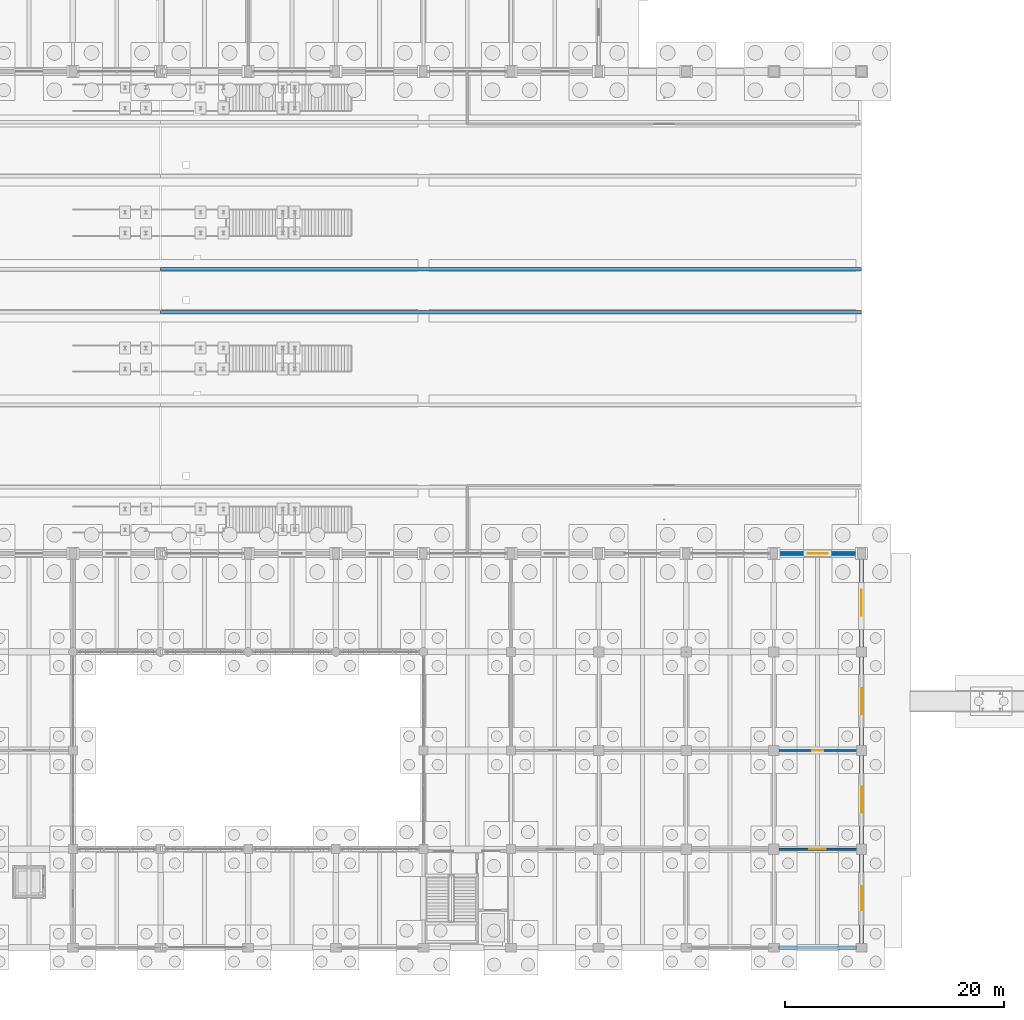
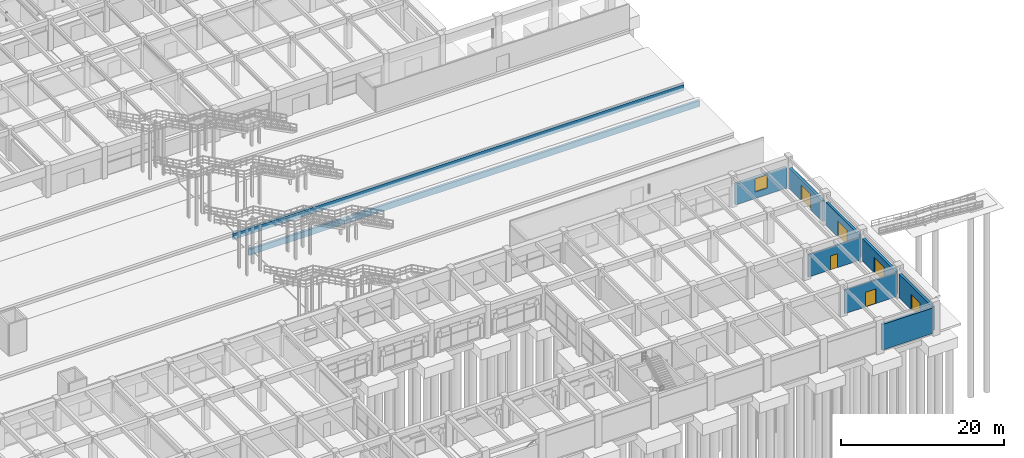
# One storey, part 110 of 147: 10 walls, 6 doors, 1 window, 7 openings.
"""IFC4 building model written with IfcOpenShell, lengths in metres."""

from ifc_helpers import new_model, si_unit, direction, frame, frame_2d, origin, place, context, subcontext, project, spatial, rectangle, extrude, material, layer, layer_set, type_object, element, fill, save


model = new_model("IFC4")

# Units and contexts
model_context = context("Model", 3, precision=1e-05, world=origin(), true_north=direction((0.0, 1.0)))
body_context = subcontext(model_context, "Body", "Model", "MODEL_VIEW")
ifc_project = project(units=[si_unit("LENGTHUNIT", "METRE"), si_unit("AREAUNIT", "SQUARE_METRE"), si_unit("VOLUMEUNIT", "CUBIC_METRE"), si_unit("PLANEANGLEUNIT", "RADIAN"), si_unit("MASSUNIT", "GRAM", prefix="KILO")], contexts=[model_context])

# Site, building, storey
site_placement = place(None, origin())
site = spatial("IfcSite", under=ifc_project, at=site_placement, CompositionType="ELEMENT")
building_placement = place(site_placement, origin())
building = spatial("IfcBuilding", under=site, at=building_placement, Name="Varnabhumi Central Station", CompositionType="ELEMENT")
storey_placement = place(building_placement, origin())
storey = spatial("IfcBuildingStorey", under=building, at=storey_placement, Name="L00", CompositionType="ELEMENT", Elevation=0.0)

# Wall, opening, door
ifc_material_1 = material(Name="Autoclaved aerated blockwork masonry", Category="masonry")
ifc_layer_1 = layer(ifc_material_1, 0.219970703125, Name="Autoclaved aerated blockwork masonry", Category="masonry")
ifc_layer_set_1 = layer_set([ifc_layer_1], Name="Autoclaved aerated blockwork masonry")
wall_type_1 = type_object("IfcWallType", Name="WAL-COMP-AAC-220", PredefinedType="SOLIDWALL", material=ifc_layer_set_1)
wall_1_placement = place(storey_placement, frame((176.300048828125, 9.0, 0.0), z_axis=(0.0, 0.0, 1.0), x_axis=(1.0, 0.0, 0.0)))
wall_1 = element("IfcWall", 1, at=wall_1_placement, inside=storey, type_object=wall_type_1, Name="Acoustic Standby Generator Room Corridor Partition 4", PredefinedType="SOLIDWALL", context=body_context, shape_type="SweptSolid", body=[
    extrude(rectangle(XDim=7.39990234375, YDim=0.219970703125, at=frame_2d((3.699951171875, 0.0))), origin(), (0.0, 0.0, 1.0), 3.56005859375),
])
opening_1_placement = place(wall_1_placement, frame((2.949951171875, 0.0, 0.0)))
opening_1 = element("IfcOpeningElement", 2, at=opening_1_placement, cuts=wall_1, Name="Opening FD-PLT", PredefinedType="OPENING", context=body_context, shape_type="SweptSolid", body=[
    extrude(rectangle(XDim=1.5, YDim=2.199951171875, at=frame_2d((0.75, 1.10009765625))), frame((0.0, 0.119873046875, 0.0), z_axis=(0.0, -1.0, 0.0), x_axis=(1.0, 0.0, 0.0)), (0.0, 0.0, 1.0), 0.239990234375),
])
ifc_material_2 = material(Name="Stainless steel Grade 316", Category="steel")
door_type_1 = type_object("IfcDoorType", Name="DR-PLANT-1500", OperationType="NOTDEFINED", PredefinedType="DOOR", material=ifc_material_2)
door_1_placement = place(opening_1_placement, origin())
door_1 = element("IfcDoor", 3, at=door_1_placement, inside=storey, type_object=door_type_1, Name="Acoustic Standby Generator Room Door 4", OperationType="SINGLE_SWING_LEFT", OverallHeight=2.199951171875, OverallWidth=1.5, PredefinedType="DOOR", context=body_context, shape_type="SweptSolid", body=[
    extrude(rectangle(XDim=1.5, YDim=2.199951171875, at=frame_2d((0.75, 1.10009765625))), frame((0.0, 0.02490234375, 0.0), z_axis=(0.0, -1.0, 0.0), x_axis=(1.0, 0.0, 0.0)), (0.0, 0.0, 1.0), 0.050048828125),
])
fill(opening_1, door_1)

# Wall, opening, window
ifc_material_3 = material(Name="Chunar sandstone masonry", Category="masonry")
ifc_layer_2 = layer(ifc_material_3, 0.360107421875, Name="Chunar sandstone masonry", Category="masonry")
ifc_layer_set_2 = layer_set([ifc_layer_2], Name="Chunar sandstone masonry")
wall_type_2 = type_object("IfcWallType", Name="WAL-EXT-SANDSTONE-360", PredefinedType="SOLIDWALL", material=ifc_layer_set_2)
wall_2_placement = place(storey_placement, frame((176.344970703125, 36.0, 0.0), z_axis=(0.0, 0.0, 1.0), x_axis=(1.0, 0.0, 0.0)))
wall_2 = element("IfcWall", 4, at=wall_2_placement, inside=storey, type_object=wall_type_2, Name="South Spine Wall L00-23", PredefinedType="SOLIDWALL", context=body_context, shape_type="SweptSolid", body=[
    extrude(rectangle(XDim=7.31005859375, YDim=0.360107421875, at=frame_2d((3.655029296875, 0.0))), origin(), (0.0, 0.0, 1.0), 3.110107421875),
])
opening_2_placement = place(wall_2_placement, frame((2.7548828125, 0.0, 0.949951171875)))
opening_2 = element("IfcOpeningElement", 5, at=opening_2_placement, cuts=wall_2, Name="Opening W-02", PredefinedType="OPENING", context=body_context, shape_type="SweptSolid", body=[
    extrude(rectangle(XDim=1.800048828125, YDim=2.02001953125, at=frame_2d((0.89990234375, 1.010009765625))), frame((0.0, 0.18994140625, 0.0), z_axis=(0.0, -1.0, 0.0), x_axis=(1.0, 0.0, 0.0)), (0.0, 0.0, 1.0), 0.380126953125),
])
ifc_material_4 = material(Name="Laminated low-E double glazing", Category="glass")
window_type = type_object("IfcWindowType", Name="WIN-ARCADE-1800x2600", PartitioningType="DOUBLE_PANEL_VERTICAL", PredefinedType="WINDOW", material=ifc_material_4)
window_placement = place(opening_2_placement, origin())
window = element("IfcWindow", 6, at=window_placement, inside=storey, type_object=window_type, Name="South Spine Overlook Window L00-23", OverallHeight=2.02001953125, OverallWidth=1.800048828125, PartitioningType="SINGLE_PANEL", PredefinedType="WINDOW", context=body_context, shape_type="SweptSolid", body=[
    extrude(rectangle(XDim=1.800048828125, YDim=2.02001953125, at=frame_2d((0.89990234375, 1.010009765625))), frame((0.0, 0.030029296875, 0.0), z_axis=(0.0, -1.0, 0.0), x_axis=(1.0, 0.0, 0.0)), (0.0, 0.0, 1.0), 0.06005859375),
])
fill(opening_2, window)

# Wall, opening, door
wall_3_placement = place(storey_placement, frame((184.0, 0.3701171875, 0.0), z_axis=(0.0, 0.0, 1.0), x_axis=(0.0, 1.0, 0.0)))
wall_3 = element("IfcWall", 7, at=wall_3_placement, inside=storey, type_object=wall_type_2, Name="South Wing W End Wall L00-1", PredefinedType="SOLIDWALL", context=body_context, shape_type="SweptSolid", body=[
    extrude(rectangle(XDim=8.22998046875, YDim=0.360107421875, at=frame_2d((4.114990234375, 0.0))), origin(), (0.0, 0.0, 1.0), 3.56005859375),
])
opening_3_placement = place(wall_3_placement, frame((3.030029296875, 0.0, 0.0)))
opening_3 = element("IfcOpeningElement", 8, at=opening_3_placement, cuts=wall_3, Name="Opening ED-5", PredefinedType="OPENING", context=body_context, shape_type="SweptSolid", body=[
    extrude(rectangle(XDim=2.199951171875, YDim=2.300048828125, at=frame_2d((1.10009765625, 1.14990234375))), frame((0.0, 0.18994140625, 0.0), z_axis=(0.0, -1.0, 0.0), x_axis=(1.0, 0.0, 0.0)), (0.0, 0.0, 1.0), 0.380126953125),
])
door_type_2 = type_object("IfcDoorType", Name="DR-EXT-PLANT-2200", OperationType="NOTDEFINED", PredefinedType="DOOR", material=ifc_material_2)
door_2_placement = place(opening_3_placement, origin())
door_2 = element("IfcDoor", 9, at=door_2_placement, inside=storey, type_object=door_type_2, Name="South W Service Exit Door", OperationType="DOUBLE_DOOR_SINGLE_SWING", OverallHeight=2.300048828125, OverallWidth=2.199951171875, PredefinedType="DOOR", context=body_context, shape_type="SweptSolid", body=[
    extrude(rectangle(XDim=2.199951171875, YDim=2.300048828125, at=frame_2d((1.10009765625, 1.14990234375))), frame((0.0, 0.02490234375, 0.0), z_axis=(0.0, -1.0, 0.0), x_axis=(1.0, 0.0, 0.0)), (0.0, 0.0, 1.0), 0.050048828125),
])
fill(opening_3, door_2)

wall_4_placement = place(storey_placement, frame((184.0, 9.39990234375, 0.0), z_axis=(0.0, 0.0, 1.0), x_axis=(0.0, 1.0, 0.0)))
wall_4 = element("IfcWall", 10, at=wall_4_placement, inside=storey, type_object=wall_type_2, Name="South Wing W End Wall L00-2", PredefinedType="SOLIDWALL", context=body_context, shape_type="SweptSolid", body=[
    extrude(rectangle(XDim=8.2001953125, YDim=0.360107421875, at=frame_2d((4.10009765625, 0.0))), origin(), (0.0, 0.0, 1.0), 3.409912109375),
])
opening_4_placement = place(wall_4_placement, frame((2.89990234375, 0.0, 0.0)))
opening_4 = element("IfcOpeningElement", 11, at=opening_4_placement, cuts=wall_4, Name="Opening ED-1", PredefinedType="OPENING", context=body_context, shape_type="SweptSolid", body=[
    extrude(rectangle(XDim=2.39990234375, YDim=2.35009765625, at=frame_2d((1.199951171875, 1.175048828125))), frame((0.0, 0.18994140625, 0.0), z_axis=(0.0, -1.0, 0.0), x_axis=(1.0, 0.0, 0.0)), (0.0, 0.0, 1.0), 0.380126953125),
])
ifc_material_5 = material(Name="Anodised aluminium 6063-T6", Category="aluminium")
door_type_3 = type_object("IfcDoorType", Name="DR-EXT-PORTAL-2400", OperationType="NOTDEFINED", PredefinedType="DOOR", material=ifc_material_5)
door_3_placement = place(opening_4_placement, origin())
door_3 = element("IfcDoor", 12, at=door_3_placement, inside=storey, type_object=door_type_3, Name="South W Exit Door 2", OperationType="DOUBLE_DOOR_SINGLE_SWING", OverallHeight=2.35009765625, OverallWidth=2.39990234375, PredefinedType="DOOR", context=body_context, shape_type="SweptSolid", body=[
    extrude(rectangle(XDim=2.39990234375, YDim=2.35009765625, at=frame_2d((1.199951171875, 1.175048828125))), frame((0.0, 0.02490234375, 0.0), z_axis=(0.0, -1.0, 0.0), x_axis=(1.0, 0.0, 0.0)), (0.0, 0.0, 1.0), 0.050048828125),
])
fill(opening_4, door_3)

wall_5_placement = place(storey_placement, frame((184.0, 18.39990234375, 0.0), z_axis=(0.0, 0.0, 1.0), x_axis=(0.0, 1.0, 0.0)))
wall_5 = element("IfcWall", 13, at=wall_5_placement, inside=storey, type_object=wall_type_2, Name="South Wing W End Wall L00-3", PredefinedType="SOLIDWALL", context=body_context, shape_type="SweptSolid", body=[
    extrude(rectangle(XDim=8.2001953125, YDim=0.360107421875, at=frame_2d((4.10009765625, 0.0))), origin(), (0.0, 0.0, 1.0), 3.409912109375),
])
opening_5_placement = place(wall_5_placement, frame((2.89990234375, 0.0, 0.0)))
opening_5 = element("IfcOpeningElement", 14, at=opening_5_placement, cuts=wall_5, Name="Opening ED-1", PredefinedType="OPENING", context=body_context, shape_type="SweptSolid", body=[
    extrude(rectangle(XDim=2.39990234375, YDim=2.35009765625, at=frame_2d((1.199951171875, 1.175048828125))), frame((0.0, 0.18994140625, 0.0), z_axis=(0.0, -1.0, 0.0), x_axis=(1.0, 0.0, 0.0)), (0.0, 0.0, 1.0), 0.380126953125),
])
door_4_placement = place(opening_5_placement, origin())
door_4 = element("IfcDoor", 15, at=door_4_placement, inside=storey, type_object=door_type_3, Name="South W Exit Door 3", OperationType="DOUBLE_DOOR_SINGLE_SWING", OverallHeight=2.35009765625, OverallWidth=2.39990234375, PredefinedType="DOOR", context=body_context, shape_type="SweptSolid", body=[
    extrude(rectangle(XDim=2.39990234375, YDim=2.35009765625, at=frame_2d((1.199951171875, 1.175048828125))), frame((0.0, 0.02490234375, 0.0), z_axis=(0.0, -1.0, 0.0), x_axis=(1.0, 0.0, 0.0)), (0.0, 0.0, 1.0), 0.050048828125),
])
fill(opening_5, door_4)

wall_6_placement = place(storey_placement, frame((184.0, 27.39990234375, 0.0), z_axis=(0.0, 0.0, 1.0), x_axis=(0.0, 1.0, 0.0)))
wall_6 = element("IfcWall", 16, at=wall_6_placement, inside=storey, type_object=wall_type_2, Name="South Wing W End Wall L00-4", PredefinedType="SOLIDWALL", context=body_context, shape_type="SweptSolid", body=[
    extrude(rectangle(XDim=8.2001953125, YDim=0.360107421875, at=frame_2d((4.10009765625, 0.0))), origin(), (0.0, 0.0, 1.0), 3.110107421875),
])
opening_6_placement = place(wall_6_placement, frame((2.89990234375, 0.0, 0.0)))
opening_6 = element("IfcOpeningElement", 17, at=opening_6_placement, cuts=wall_6, Name="Opening ED-1", PredefinedType="OPENING", context=body_context, shape_type="SweptSolid", body=[
    extrude(rectangle(XDim=2.39990234375, YDim=2.35009765625, at=frame_2d((1.199951171875, 1.175048828125))), frame((0.0, 0.18994140625, 0.0), z_axis=(0.0, -1.0, 0.0), x_axis=(1.0, 0.0, 0.0)), (0.0, 0.0, 1.0), 0.380126953125),
])
door_5_placement = place(opening_6_placement, origin())
door_5 = element("IfcDoor", 18, at=door_5_placement, inside=storey, type_object=door_type_3, Name="South W Exit Door 4", OperationType="DOUBLE_DOOR_SINGLE_SWING", OverallHeight=2.35009765625, OverallWidth=2.39990234375, PredefinedType="DOOR", context=body_context, shape_type="SweptSolid", body=[
    extrude(rectangle(XDim=2.39990234375, YDim=2.35009765625, at=frame_2d((1.199951171875, 1.175048828125))), frame((0.0, 0.02490234375, 0.0), z_axis=(0.0, -1.0, 0.0), x_axis=(1.0, 0.0, 0.0)), (0.0, 0.0, 1.0), 0.050048828125),
])
fill(opening_6, door_5)

ifc_layer_3 = layer(ifc_material_1, 0.159912109375, Name="Autoclaved aerated blockwork masonry", Category="masonry")
ifc_layer_set_3 = layer_set([ifc_layer_3], Name="Autoclaved aerated blockwork masonry")
wall_type_3 = type_object("IfcWallType", Name="WAL-PART-AAC-160", PredefinedType="PARTITIONING", material=ifc_layer_set_3)
wall_7_placement = place(storey_placement, frame((176.300048828125, 18.0, 0.0), z_axis=(0.0, 0.0, 1.0), x_axis=(1.0, 0.0, 0.0)))
wall_7 = element("IfcWall", 19, at=wall_7_placement, inside=storey, type_object=wall_type_3, Name="Parcel Loading Bay and Dispatch Apron Corridor Partition 4", PredefinedType="PARTITIONING", context=body_context, shape_type="SweptSolid", body=[
    extrude(rectangle(XDim=7.39990234375, YDim=0.159912109375, at=frame_2d((3.699951171875, 0.0))), origin(), (0.0, 0.0, 1.0), 3.409912109375),
])
opening_7_placement = place(wall_7_placement, frame((3.199951171875, 0.0, 0.0)))
opening_7 = element("IfcOpeningElement", 20, at=opening_7_placement, cuts=wall_7, Name="Opening D-01", PredefinedType="OPENING", context=body_context, shape_type="SweptSolid", body=[
    extrude(rectangle(XDim=1.0, YDim=2.10009765625, at=frame_2d((0.5, 1.050048828125))), frame((0.0, 0.08984375, 0.0), z_axis=(0.0, -1.0, 0.0), x_axis=(1.0, 0.0, 0.0)), (0.0, 0.0, 1.0), 0.179931640625),
])
ifc_material_6 = material(Name="Intumescent-treated hardwood timber", Category="wood")
door_type_4 = type_object("IfcDoorType", Name="DR-ROOM-1000", OperationType="NOTDEFINED", PredefinedType="DOOR", material=ifc_material_6)
door_6_placement = place(opening_7_placement, frame((1.0, 0.0, 0.0), z_axis=(0.0, 0.0, 1.0), x_axis=(-1.0, 0.0, 0.0)))
door_6 = element("IfcDoor", 21, at=door_6_placement, inside=storey, type_object=door_type_4, Name="Parcel Loading Bay and Dispatch Apron Door 4", OperationType="SINGLE_SWING_LEFT", OverallHeight=2.10009765625, OverallWidth=1.0, PredefinedType="DOOR", context=body_context, shape_type="SweptSolid", body=[
    extrude(rectangle(XDim=1.0, YDim=2.10009765625, at=frame_2d((0.5, 1.050048828125))), frame((0.0, 0.02490234375, 0.0), z_axis=(0.0, -1.0, 0.0), x_axis=(1.0, 0.0, 0.0)), (0.0, 0.0, 1.0), 0.050048828125),
])
fill(opening_7, door_6)

# Walls
ifc_material_7 = material(Name="Concrete M40", Category="concrete")
ifc_layer_4 = layer(ifc_material_7, 0.320068359375, Name="Concrete M40", Category="concrete")
ifc_layer_set_4 = layer_set([ifc_layer_4], Name="Concrete M40")
wall_type_4 = type_object("IfcWallType", Name="WAL-PLAT-RET-320", PredefinedType="USERDEFINED", material=ifc_layer_set_4)
for number, where, z_axis, x_axis, name in (
    (22, (120.0, 58.0400390625, -1.2548828125), (0.0, 0.0, 1.0), (1.0, 0.0, 0.0), "Platform 2 Retaining Wall N2"),
    (23, (120.0, 61.9599609375, -1.2548828125), (0.0, 0.0, 1.0), (1.0, 0.0, 0.0), "Platform 3 Retaining Wall S2"),
):
    element("IfcWall", number, at=place(storey_placement, frame(where, z_axis=z_axis, x_axis=x_axis)), inside=storey, type_object=wall_type_4, Name=name, ObjectType="RETAINING WALL", PredefinedType="USERDEFINED", context=body_context, shape_type="SweptSolid", body=[
        extrude(rectangle(XDim=64.0, YDim=0.320068359375, at=frame_2d((32.0, 0.0))), origin(), (0.0, 0.0, 1.0), 0.90478515625),
    ])
ifc_layer_5 = layer(ifc_material_7, 0.340087890625, Name="Concrete M40", Category="concrete")
ifc_layer_set_5 = layer_set([ifc_layer_5], Name="Concrete M40")
wall_type_5 = type_object("IfcWallType", Name="WAL-SOUTH-FIRE-340", PredefinedType="SOLIDWALL", material=ifc_layer_set_5)
wall_8_placement = place(storey_placement, frame((176.39990234375, 0.0, 0.0), z_axis=(0.0, 0.0, 1.0), x_axis=(1.0, 0.0, 0.0)))
element("IfcWall", 24, at=wall_8_placement, inside=storey, type_object=wall_type_5, Name="South Infill Boundary Fire Wall L00-23", PredefinedType="SOLIDWALL", context=body_context, shape_type="SweptSolid", body=[
    extrude(rectangle(XDim=7.2001953125, YDim=0.340087890625, at=frame_2d((3.60009765625, 0.0))), origin(), (0.0, 0.0, 1.0), 3.840087890625),
])

save(model, "model.ifc")
